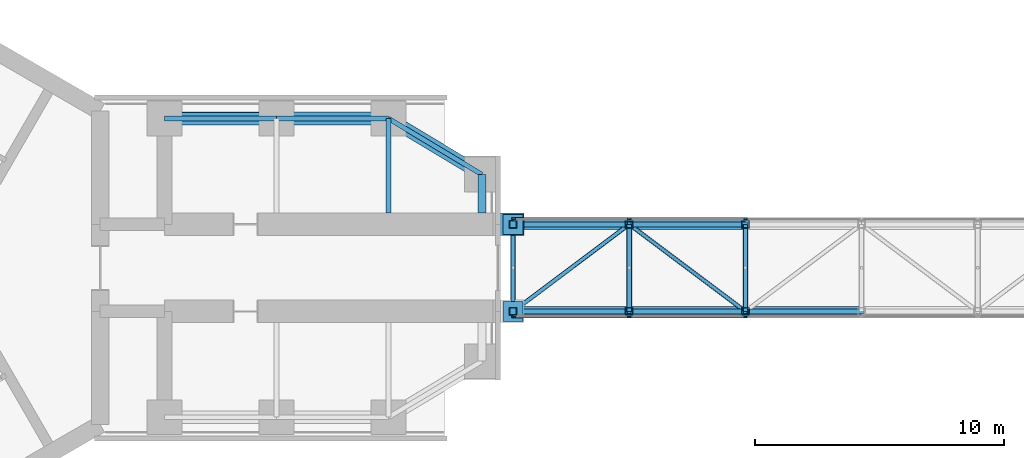
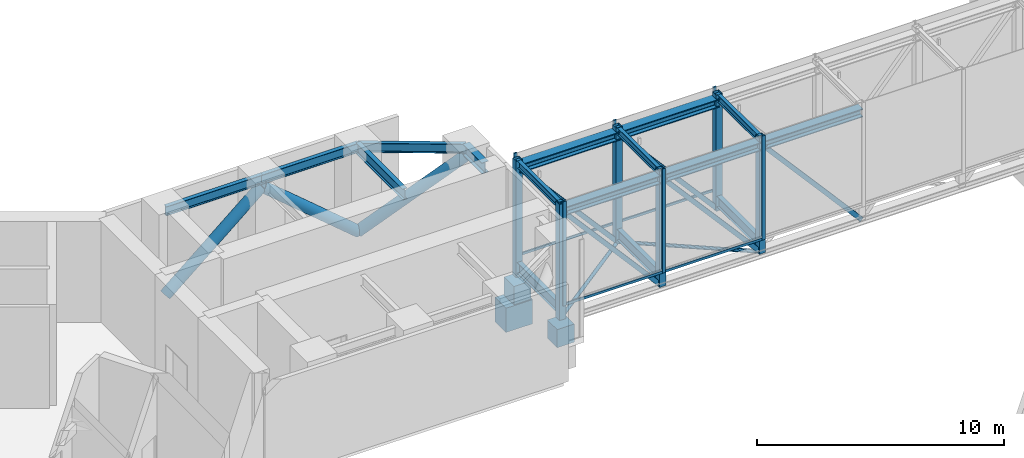
# One storey, part 3 of 17: 33 members, 12 beams, 2 elements without a shape of their own.
"""IFC4 building model written with IfcOpenShell, lengths in metres."""

from ifc_helpers import new_model, si_unit, direction, frame, origin, origin_2d, place, context, subcontext, project, spatial, rectangle, hollow_rectangle, hollow_circle, i_section, extrude, material, material_profile, profile_set, type_object, element, aggregate, save


model = new_model("IFC4")

# Units and contexts
model_context = context("Model", 3, precision=1e-05, world=origin(), true_north=direction((0.0, 1.0)))
body_context = subcontext(model_context, "Body", "Model", "MODEL_VIEW")
ifc_project = project(units=[si_unit("LENGTHUNIT", "METRE"), si_unit("AREAUNIT", "SQUARE_METRE"), si_unit("VOLUMEUNIT", "CUBIC_METRE"), si_unit("PLANEANGLEUNIT", "RADIAN"), si_unit("MASSUNIT", "GRAM", prefix="KILO")], contexts=[model_context])

# Site, building, storey
site_placement = place(None, origin())
site = spatial("IfcSite", under=ifc_project, at=site_placement, CompositionType="ELEMENT")
building_placement = place(site_placement, origin())
building = spatial("IfcBuilding", under=site, at=building_placement, Name="Upepo Twin Towers", CompositionType="ELEMENT")
storey_placement = place(building_placement, frame((0.0, 0.0, 92.5)))
storey = spatial("IfcBuildingStorey", under=building, at=storey_placement, Name="L22", CompositionType="ELEMENT", Elevation=92.5)

# Beams
ifc_material_1 = material(Name="Steel S355", Category="steel")
ifc_material_profile_1 = material_profile(ifc_material_1, i_section(OverallWidth=0.17138671875, OverallDepth=0.35498046875, WebThickness=0.00732421875, FlangeThickness=0.011474609375, FilletRadius=0.01025390625, at=origin_2d()), Name="UB 356x171x51")
ifc_profile_set_1 = profile_set([ifc_material_profile_1], Name="Steel S355")
beam_type_1 = type_object("IfcBeamType", Name="Beam UB 356x171x51", PredefinedType="BEAM", material=ifc_profile_set_1)
for number, where, z_axis, x_axis, name in (
    (1, (27.5, -1.75, 4.62255859375), (0.0, 1.0, 0.0), (-1.0, 0.0, 0.0), "BR1 roof beam 0"),
    (2, (32.16796875, -1.75, 4.62255859375), (0.0, 1.0, 0.0), (-1.0, 0.0, 0.0), "BR1 roof beam 1"),
    (3, (36.8359375, -1.75, 4.62255859375), (0.0, 1.0, 0.0), (-1.0, 0.0, 0.0), "BR1 roof beam 2"),
):
    element("IfcBeam", number, at=place(storey_placement, frame(where, z_axis=z_axis, x_axis=x_axis)), inside=storey, type_object=beam_type_1, Name=name, PredefinedType="BEAM", context=body_context, shape_type="SweptSolid", body=[
        extrude(i_section(OverallWidth=0.17138671875, OverallDepth=0.35498046875, WebThickness=0.00732421875, FlangeThickness=0.011474609375, FilletRadius=0.01025390625, at=origin_2d()), origin(), (0.0, 0.0, 1.0), 3.5),
    ])
ifc_material_2 = material(Name="Steel S355", Category="steel")
ifc_material_profile_2 = material_profile(ifc_material_2, i_section(OverallWidth=0.1904296875, OverallDepth=0.45703125, WebThickness=0.009033203125, FlangeThickness=0.014404296875, FilletRadius=0.01025390625, at=origin_2d()), Name="UB 457x191x74")
ifc_profile_set_2 = profile_set([ifc_material_profile_2], Name="Steel S355")
beam_type_2 = type_object("IfcBeamType", Name="Beam UB 457x191x74", PredefinedType="BEAM", material=ifc_profile_set_2)
for number, where, z_axis, x_axis, name in (
    (4, (13.5, 6.0, 4.571533203125), (1.0, 0.0, 0.0), (0.0, 1.0, 0.0), "T1 edge beam AL 13.5-18.0"),
    (5, (18.0, 6.0, 4.571533203125), (1.0, 0.0, 0.0), (0.0, 1.0, 0.0), "T1 edge beam AL 18.0-22.5"),
):
    element("IfcBeam", number, at=place(storey_placement, frame(where, z_axis=z_axis, x_axis=x_axis)), inside=storey, type_object=beam_type_2, Name=name, PredefinedType="BEAM", context=body_context, shape_type="SweptSolid", body=[
        extrude(i_section(OverallWidth=0.1904296875, OverallDepth=0.45703125, WebThickness=0.009033203125, FlangeThickness=0.014404296875, FilletRadius=0.01025390625, at=origin_2d()), origin(), (0.0, 0.0, 1.0), 4.5),
    ])
beam_1_placement = place(storey_placement, frame((22.5, 6.0, 4.571533203125), z_axis=(0.857492925713, -0.514495755428, 0.0), x_axis=(0.514495755428, 0.857492925713, 0.0)))
element("IfcBeam", 6, at=beam_1_placement, inside=storey, type_object=beam_type_2, Name="T1 nose edge beam AL", PredefinedType="BEAM", context=body_context, shape_type="SweptSolid", body=[
    extrude(i_section(OverallWidth=0.1904296875, OverallDepth=0.45703125, WebThickness=0.009033203125, FlangeThickness=0.014404296875, FilletRadius=0.01025390625, at=origin_2d()), origin(), (0.0, 0.0, 1.0), 4.373291015625),
])
ifc_material_3 = material(Name="Steel S355", Category="steel")
ifc_material_profile_3 = material_profile(ifc_material_3, i_section(OverallWidth=0.209228515625, OverallDepth=0.533203125, WebThickness=0.010009765625, FlangeThickness=0.015625, FilletRadius=0.0126953125, at=origin_2d()), Name="UB 533x210x92")
ifc_profile_set_3 = profile_set([ifc_material_profile_3], Name="Steel S355")
beam_type_3 = type_object("IfcBeamType", Name="Beam UB 533x210x92", PredefinedType="BEAM", material=ifc_profile_set_3)
beam_2_placement = place(storey_placement, frame((22.5, 6.0, 4.533447265625), z_axis=(0.0, -1.0, 0.0), x_axis=(1.0, 0.0, 0.0)))
element("IfcBeam", 7, at=beam_2_placement, inside=storey, type_object=beam_type_3, Name="T1 girder AL at 22.5", PredefinedType="BEAM", context=body_context, shape_type="SweptSolid", body=[
    extrude(i_section(OverallWidth=0.209228515625, OverallDepth=0.533203125, WebThickness=0.010009765625, FlangeThickness=0.015625, FilletRadius=0.0126953125, at=origin_2d()), origin(), (0.0, 0.0, 1.0), 3.800048828125),
])
for number, where, z_axis, x_axis, name in (
    (8, (27.5, -1.75, -0.466552734375), (0.0, 1.0, 0.0), (-1.0, 0.0, 0.0), "BR1 floor beam 0"),
    (9, (32.16796875, -1.75, -0.466552734375), (0.0, 1.0, 0.0), (-1.0, 0.0, 0.0), "BR1 floor beam 1"),
    (10, (36.8359375, -1.75, -0.466552734375), (0.0, 1.0, 0.0), (-1.0, 0.0, 0.0), "BR1 floor beam 2"),
):
    element("IfcBeam", number, at=place(storey_placement, frame(where, z_axis=z_axis, x_axis=x_axis)), inside=storey, type_object=beam_type_3, Name=name, PredefinedType="BEAM", context=body_context, shape_type="SweptSolid", body=[
        extrude(i_section(OverallWidth=0.209228515625, OverallDepth=0.533203125, WebThickness=0.010009765625, FlangeThickness=0.015625, FilletRadius=0.0126953125, at=origin_2d()), origin(), (0.0, 0.0, 1.0), 3.5),
    ])
ifc_material_4 = material(Name="Steel S355", Category="steel")
ifc_material_profile_4 = material_profile(ifc_material_4, i_section(OverallWidth=0.31201171875, OverallDepth=0.54345703125, WebThickness=0.0126953125, FlangeThickness=0.020263671875, FilletRadius=0.0126953125, at=origin_2d()), Name="UB 533x312x150")
ifc_profile_set_4 = profile_set([ifc_material_profile_4], Name="Steel S355")
beam_type_4 = type_object("IfcBeamType", Name="Beam UB 533x312x150", PredefinedType="BEAM", material=ifc_profile_set_4)
beam_3_placement = place(storey_placement, frame((26.25, 3.75, 4.5283203125), z_axis=(0.0, -1.0, 0.0), x_axis=(1.0, 0.0, 0.0)))
element("IfcBeam", 11, at=beam_3_placement, inside=storey, type_object=beam_type_4, Name="T1 nose beam AL", PredefinedType="BEAM", context=body_context, shape_type="SweptSolid", body=[
    extrude(i_section(OverallWidth=0.31201171875, OverallDepth=0.54345703125, WebThickness=0.0126953125, FlangeThickness=0.020263671875, FilletRadius=0.0126953125, at=origin_2d()), origin(), (0.0, 0.0, 1.0), 1.550048828125),
])

# Members
ifc_material_5 = material(Name="Steel S355", Category="steel")
ifc_material_profile_5 = material_profile(ifc_material_5, hollow_circle(Radius=0.25390625, WallThickness=0.02490234375, at=origin_2d()), Name="CHS 508.0x25.0")
ifc_profile_set_5 = profile_set([ifc_material_profile_5], Name="Steel S355")
member_type_1 = type_object("IfcMemberType", Name="Belt truss diagonal CHS 508.0x25.0", PredefinedType="BRACE", material=ifc_profile_set_5)
for number, where, z_axis, x_axis, name in (
    (12, (13.5, 6.0, 0.39990234375), (0.764025829276, 0.0, 0.645185657155), (0.0, 1.0, 0.0), "T1 belt truss diagonal AL1"),
    (13, (22.5, 6.0, 0.39990234375), (-0.764025829276, 0.0, 0.645185657155), (0.0, -1.0, 0.0), "T1 belt truss diagonal AL2"),
):
    element("IfcMember", number, at=place(storey_placement, frame(where, z_axis=z_axis, x_axis=x_axis)), inside=storey, type_object=member_type_1, Name=name, PredefinedType="BRACE", context=body_context, shape_type="SweptSolid", body=[
        extrude(hollow_circle(Radius=0.25390625, WallThickness=0.02490234375, at=origin_2d()), origin(), (0.0, 0.0, 1.0), 5.889892578125),
    ])
member_1_placement = place(storey_placement, frame((22.5, 6.0, 0.39990234375), z_axis=(0.647270093312, -0.388362055987, 0.655908789218), x_axis=(0.514495755428, 0.857492925713, 0.0)))
element("IfcMember", 14, at=member_1_placement, inside=storey, type_object=member_type_1, Name="T1 belt truss nose diagonal AL", PredefinedType="BRACE", context=body_context, shape_type="SweptSolid", body=[
    extrude(hollow_circle(Radius=0.25390625, WallThickness=0.02490234375, at=origin_2d()), origin(), (0.0, 0.0, 1.0), 5.79345703125),
])

# Beam
ifc_material_6 = material(Name="Concrete C60/75", Category="concrete")
ifc_material_profile_6 = material_profile(ifc_material_6, rectangle(XDim=0.89990234375, YDim=1.199951171875, at=origin_2d()), Name="RC 900x1200")
ifc_profile_set_6 = profile_set([ifc_material_profile_6], Name="Concrete C60/75")
beam_type_5 = type_object("IfcBeamType", Name="Bridge bearing beam RC 900x1200", PredefinedType="BEAM", material=ifc_profile_set_6)
beam_4_placement = place(storey_placement, frame((26.699951171875, 1.75, -2.639404296875), z_axis=(1.0, 0.0, 0.0), x_axis=(0.0, 1.0, 0.0)))
element("IfcBeam", 15, at=beam_4_placement, inside=storey, type_object=beam_type_5, Name="BR1 bearing corbel at T1 N", PredefinedType="BEAM", context=body_context, shape_type="SweptSolid", body=[
    extrude(rectangle(XDim=0.89990234375, YDim=1.199951171875, at=origin_2d()), origin(), (0.0, 0.0, 1.0), 1.25),
])

# Members
ifc_material_7 = material(Name="Steel S355 with elastomer", Category="steel")
ifc_material_profile_7 = material_profile(ifc_material_7, rectangle(XDim=0.800048828125, YDim=0.800048828125, at=origin_2d()), Name="BEARING 800x800 PINNED")
ifc_profile_set_7 = profile_set([ifc_material_profile_7], Name="Steel S355 with elastomer")
member_type_2 = type_object("IfcMemberType", Name="Bridge bearing, pinned", PredefinedType="USERDEFINED", material=ifc_profile_set_7)
for number, where, z_axis, x_axis, name in (
    (16, (27.5, 1.75, -2.03955078125), (0.0, 0.0, 1.0), (1.0, 0.0, 0.0), "BR1 pinned bearing at T1 N"),
    (17, (27.5, -1.75, -2.03955078125), (0.0, 0.0, 1.0), (1.0, 0.0, 0.0), "BR1 pinned bearing at T1 S"),
):
    element("IfcMember", number, at=place(storey_placement, frame(where, z_axis=z_axis, x_axis=x_axis)), inside=storey, type_object=member_type_2, Name=name, ObjectType="BEARING", PredefinedType="USERDEFINED", context=body_context, shape_type="SweptSolid", body=[
        extrude(rectangle(XDim=0.800048828125, YDim=0.800048828125, at=origin_2d()), origin(), (0.0, 0.0, 1.0), 0.900146484375),
    ])
ifc_material_8 = material(Name="Steel S355", Category="steel")
ifc_material_profile_8 = material_profile(ifc_material_8, i_section(OverallWidth=0.403076171875, OverallDepth=0.406494140625, WebThickness=0.026611328125, FlangeThickness=0.04296875, FilletRadius=0.01513671875, at=origin_2d()), Name="UC 356x406x340")
ifc_profile_set_8 = profile_set([ifc_material_profile_8], Name="Steel S355")
member_type_3 = type_object("IfcMemberType", Name="Bridge chord UC 356x406x340", PredefinedType="CHORD", material=ifc_profile_set_8)
for number, where, z_axis, x_axis, name in (
    (18, (27.5, 1.75, 4.39990234375), (1.0, 0.0, 0.0), (0.0, 1.0, 0.0), "BR1 top chord N1"),
    (19, (32.16796875, 1.75, 4.39990234375), (1.0, 0.0, 0.0), (0.0, 1.0, 0.0), "BR1 top chord N2"),
    (20, (27.5, -1.75, 4.39990234375), (1.0, 0.0, 0.0), (0.0, 1.0, 0.0), "BR1 top chord S1"),
    (21, (32.16796875, -1.75, 4.39990234375), (1.0, 0.0, 0.0), (0.0, 1.0, 0.0), "BR1 top chord S2"),
    (22, (36.8359375, -1.75, 4.39990234375), (1.0, 0.0, 0.0), (0.0, 1.0, 0.0), "BR1 top chord S3"),
):
    element("IfcMember", number, at=place(storey_placement, frame(where, z_axis=z_axis, x_axis=x_axis)), inside=storey, type_object=member_type_3, Name=name, PredefinedType="CHORD", context=body_context, shape_type="SweptSolid", body=[
        extrude(i_section(OverallWidth=0.403076171875, OverallDepth=0.406494140625, WebThickness=0.026611328125, FlangeThickness=0.04296875, FilletRadius=0.01513671875, at=origin_2d()), origin(), (0.0, 0.0, 1.0), 4.66796875),
    ])
ifc_material_9 = material(Name="Steel S355", Category="steel")
ifc_material_profile_9 = material_profile(ifc_material_9, hollow_rectangle(XDim=0.199951171875, YDim=0.199951171875, WallThickness=0.010009765625, at=origin_2d()), Name="SHS 200x200x10.0")
ifc_profile_set_9 = profile_set([ifc_material_profile_9], Name="Steel S355")
member_type_4 = type_object("IfcMemberType", Name="Bridge diagonal SHS 200x200x10.0", PredefinedType="BRACE", material=ifc_profile_set_9)
for number, where, z_axis, x_axis, name in (
    (23, (27.5, 1.75, 4.39990234375), (0.658409523665, 0.0, -0.75265988278), (0.0, 1.0, 0.0), "BR1 diagonal N1"),
    (24, (32.16796875, 1.75, 4.39990234375), (0.658409523665, 0.0, -0.75265988278), (0.0, 1.0, 0.0), "BR1 diagonal N2"),
    (25, (27.5, -1.75, 4.39990234375), (0.658409523665, 0.0, -0.75265988278), (0.0, 1.0, 0.0), "BR1 diagonal S1"),
    (26, (32.16796875, -1.75, 4.39990234375), (0.658409523665, 0.0, -0.75265988278), (0.0, 1.0, 0.0), "BR1 diagonal S2"),
    (27, (36.8359375, -1.75, 4.39990234375), (0.658409523665, 0.0, -0.75265988278), (0.0, 1.0, 0.0), "BR1 diagonal S3"),
):
    element("IfcMember", number, at=place(storey_placement, frame(where, z_axis=z_axis, x_axis=x_axis)), inside=storey, type_object=member_type_4, Name=name, PredefinedType="BRACE", context=body_context, shape_type="SweptSolid", body=[
        extrude(hollow_rectangle(XDim=0.199951171875, YDim=0.199951171875, WallThickness=0.010009765625, at=origin_2d()), origin(), (0.0, 0.0, 1.0), 7.08984375),
    ])
ifc_material_10 = material(Name="Steel S355", Category="steel")
ifc_material_profile_10 = material_profile(ifc_material_10, hollow_circle(Radius=0.084228515625, WallThickness=0.008056640625, at=origin_2d()), Name="CHS 168.3x8.0")
ifc_profile_set_10 = profile_set([ifc_material_profile_10], Name="Steel S355")
member_type_5 = type_object("IfcMemberType", Name="Bridge plan brace CHS 168.3x8.0", PredefinedType="BRACE", material=ifc_profile_set_10)
for number, where, z_axis, x_axis, name in (
    (28, (27.5, -1.75, -0.936279296875), (0.800080335623, 0.599892870894, 0.0), (-0.599892870894, 0.800080335623, 0.0), "BR1 plan brace 1"),
    (29, (32.16796875, 1.75, -0.936279296875), (0.800080335623, -0.599892870894, 0.0), (0.599892870894, 0.800080335623, 0.0), "BR1 plan brace 2"),
):
    element("IfcMember", number, at=place(storey_placement, frame(where, z_axis=z_axis, x_axis=x_axis)), inside=storey, type_object=member_type_5, Name=name, PredefinedType="BRACE", context=body_context, shape_type="SweptSolid", body=[
        extrude(hollow_circle(Radius=0.084228515625, WallThickness=0.008056640625, at=origin_2d()), origin(), (0.0, 0.0, 1.0), 5.83447265625),
    ])
ifc_material_11 = material(Name="Steel S355", Category="steel")
ifc_material_profile_11 = material_profile(ifc_material_11, hollow_rectangle(XDim=0.300048828125, YDim=0.300048828125, WallThickness=0.012451171875, at=origin_2d()), Name="SHS 300x300x12.5")
ifc_profile_set_11 = profile_set([ifc_material_profile_11], Name="Steel S355")
member_type_6 = type_object("IfcMemberType", Name="Bridge post SHS 300x300x12.5", PredefinedType="POST", material=ifc_profile_set_11)
for number, where, z_axis, x_axis, name in (
    (30, (27.5, 1.75, -0.936279296875), (0.0, 0.0, 1.0), (1.0, 0.0, 0.0), "BR1 end post N0"),
    (31, (32.16796875, 1.75, -0.936279296875), (0.0, 0.0, 1.0), (1.0, 0.0, 0.0), "BR1 vertical N1"),
    (32, (36.8359375, 1.75, -0.936279296875), (0.0, 0.0, 1.0), (1.0, 0.0, 0.0), "BR1 vertical N2"),
    (33, (27.5, -1.75, -0.936279296875), (0.0, 0.0, 1.0), (1.0, 0.0, 0.0), "BR1 end post S0"),
    (34, (32.16796875, -1.75, -0.936279296875), (0.0, 0.0, 1.0), (1.0, 0.0, 0.0), "BR1 vertical S1"),
    (35, (36.8359375, -1.75, -0.936279296875), (0.0, 0.0, 1.0), (1.0, 0.0, 0.0), "BR1 vertical S2"),
):
    element("IfcMember", number, at=place(storey_placement, frame(where, z_axis=z_axis, x_axis=x_axis)), inside=storey, type_object=member_type_6, Name=name, PredefinedType="POST", context=body_context, shape_type="SweptSolid", body=[
        extrude(hollow_rectangle(XDim=0.300048828125, YDim=0.300048828125, WallThickness=0.012451171875, at=origin_2d()), origin(), (0.0, 0.0, 1.0), 5.736328125),
    ])

# Curtain wall, members
ifc_material_12 = material(Name="Aluminium and clear glass", Category="aluminium")
curtain_wall_type = type_object("IfcCurtainWallType", Name="Bridge curtain wall BW1", PredefinedType="NOTDEFINED", material=ifc_material_12)
curtain_wall_1_placement = place(storey_placement, origin())
curtain_wall_1 = element("IfcCurtainWall", 36, at=curtain_wall_1_placement, inside=storey, type_object=curtain_wall_type, Name="BR1 curtain wall N", PredefinedType="NOTDEFINED")
ifc_material_13 = material(Name="Aluminium mullion", Category="aluminium")
ifc_material_profile_12 = material_profile(ifc_material_13, rectangle(XDim=0.06494140625, YDim=0.14990234375, at=origin_2d()), Name="MULLION 65x150 BRIDGE")
ifc_profile_set_12 = profile_set([ifc_material_profile_12], Name="Aluminium mullion")
member_type_7 = type_object("IfcMemberType", Name="Mullion 65x150 BW1", PredefinedType="MULLION", material=ifc_profile_set_12)
member_2_placement = place(storey_placement, frame((36.8359375, 1.97509765625, -0.199951171875), z_axis=(0.0, 0.0, 1.0), x_axis=(0.0, -1.0, 0.0)))
member_2 = element("IfcMember", 37, at=member_2_placement, type_object=member_type_7, Name="BR1 curtain wall N mullion 4", PredefinedType="MULLION", context=body_context, shape_type="SweptSolid", body=[
    extrude(rectangle(XDim=0.06494140625, YDim=0.14990234375, at=origin_2d()), origin(), (0.0, 0.0, 1.0), 5.14990234375),
])
member_3_placement = place(storey_placement, frame((32.16796875, 1.97509765625, -0.199951171875), z_axis=(0.0, 0.0, 1.0), x_axis=(0.0, -1.0, 0.0)))
member_3 = element("IfcMember", 38, at=member_3_placement, type_object=member_type_7, Name="BR1 curtain wall N mullion 5", PredefinedType="MULLION", context=body_context, shape_type="SweptSolid", body=[
    extrude(rectangle(XDim=0.06494140625, YDim=0.14990234375, at=origin_2d()), origin(), (0.0, 0.0, 1.0), 5.14990234375),
])
member_4_placement = place(storey_placement, frame((27.532470703125, 1.97509765625, -0.199951171875), z_axis=(0.0, 0.0, 1.0), x_axis=(0.0, -1.0, 0.0)))
member_4 = element("IfcMember", 39, at=member_4_placement, type_object=member_type_7, Name="BR1 curtain wall N mullion 6", PredefinedType="MULLION", context=body_context, shape_type="SweptSolid", body=[
    extrude(rectangle(XDim=0.06494140625, YDim=0.14990234375, at=origin_2d()), origin(), (0.0, 0.0, 1.0), 5.14990234375),
])

curtain_wall_2_placement = place(storey_placement, origin())
curtain_wall_2 = element("IfcCurtainWall", 40, at=curtain_wall_2_placement, inside=storey, type_object=curtain_wall_type, Name="BR1 curtain wall S", PredefinedType="NOTDEFINED")
member_5_placement = place(storey_placement, frame((27.532470703125, -1.97509765625, -0.199951171875), z_axis=(0.0, 0.0, 1.0), x_axis=(0.0, 1.0, 0.0)))
member_5 = element("IfcMember", 41, at=member_5_placement, type_object=member_type_7, Name="BR1 curtain wall S mullion 1", PredefinedType="MULLION", context=body_context, shape_type="SweptSolid", body=[
    extrude(rectangle(XDim=0.06494140625, YDim=0.14990234375, at=origin_2d()), origin(), (0.0, 0.0, 1.0), 5.14990234375),
])
member_6_placement = place(storey_placement, frame((32.16796875, -1.97509765625, -0.199951171875), z_axis=(0.0, 0.0, 1.0), x_axis=(0.0, 1.0, 0.0)))
member_6 = element("IfcMember", 42, at=member_6_placement, type_object=member_type_7, Name="BR1 curtain wall S mullion 2", PredefinedType="MULLION", context=body_context, shape_type="SweptSolid", body=[
    extrude(rectangle(XDim=0.06494140625, YDim=0.14990234375, at=origin_2d()), origin(), (0.0, 0.0, 1.0), 5.14990234375),
])
member_7_placement = place(storey_placement, frame((36.8359375, -1.97509765625, -0.199951171875), z_axis=(0.0, 0.0, 1.0), x_axis=(0.0, 1.0, 0.0)))
member_7 = element("IfcMember", 43, at=member_7_placement, type_object=member_type_7, Name="BR1 curtain wall S mullion 3", PredefinedType="MULLION", context=body_context, shape_type="SweptSolid", body=[
    extrude(rectangle(XDim=0.06494140625, YDim=0.14990234375, at=origin_2d()), origin(), (0.0, 0.0, 1.0), 5.14990234375),
])

# Member
ifc_material_14 = material(Name="Aluminium transom", Category="aluminium")
ifc_material_profile_13 = material_profile(ifc_material_14, rectangle(XDim=0.06494140625, YDim=0.1201171875, at=origin_2d()), Name="TRANSOM 65x120 BRIDGE")
ifc_profile_set_13 = profile_set([ifc_material_profile_13], Name="Aluminium transom")
member_type_8 = type_object("IfcMemberType", Name="Transom 65x120 BW1", PredefinedType="USERDEFINED", material=ifc_profile_set_13)
member_8_placement = place(storey_placement, frame((36.803466796875, 1.97509765625, -0.139892578125), z_axis=(-1.0, 0.0, 0.0), x_axis=(0.0, -1.0, 0.0)))
member_8 = element("IfcMember", 44, at=member_8_placement, type_object=member_type_8, Name="BR1 curtain wall N transom 4", ObjectType="TRANSOM", PredefinedType="USERDEFINED", context=body_context, shape_type="SweptSolid", body=[
    extrude(rectangle(XDim=0.06494140625, YDim=0.1201171875, at=origin_2d()), origin(), (0.0, 0.0, 1.0), 4.60302734375),
])

member_9_placement = place(storey_placement, frame((32.135498046875, 1.97509765625, -0.139892578125), z_axis=(-1.0, 0.0, 0.0), x_axis=(0.0, -1.0, 0.0)))
member_9 = element("IfcMember", 45, at=member_9_placement, type_object=member_type_8, Name="BR1 curtain wall N transom 5", ObjectType="TRANSOM", PredefinedType="USERDEFINED", context=body_context, shape_type="SweptSolid", body=[
    extrude(rectangle(XDim=0.06494140625, YDim=0.1201171875, at=origin_2d()), origin(), (0.0, 0.0, 1.0), 4.570556640625),
])

aggregate(curtain_wall_1, [member_2, member_3, member_4, member_8, member_9])

member_10_placement = place(storey_placement, frame((27.56494140625, -1.97509765625, -0.139892578125), z_axis=(1.0, 0.0, 0.0), x_axis=(0.0, 1.0, 0.0)))
member_10 = element("IfcMember", 46, at=member_10_placement, type_object=member_type_8, Name="BR1 curtain wall S transom 1", ObjectType="TRANSOM", PredefinedType="USERDEFINED", context=body_context, shape_type="SweptSolid", body=[
    extrude(rectangle(XDim=0.06494140625, YDim=0.1201171875, at=origin_2d()), origin(), (0.0, 0.0, 1.0), 4.570556640625),
])

member_11_placement = place(storey_placement, frame((32.200439453125, -1.97509765625, -0.139892578125), z_axis=(1.0, 0.0, 0.0), x_axis=(0.0, 1.0, 0.0)))
member_11 = element("IfcMember", 47, at=member_11_placement, type_object=member_type_8, Name="BR1 curtain wall S transom 2", ObjectType="TRANSOM", PredefinedType="USERDEFINED", context=body_context, shape_type="SweptSolid", body=[
    extrude(rectangle(XDim=0.06494140625, YDim=0.1201171875, at=origin_2d()), origin(), (0.0, 0.0, 1.0), 4.60302734375),
])

aggregate(curtain_wall_2, [member_5, member_6, member_7, member_10, member_11])

save(model, "model.ifc")
